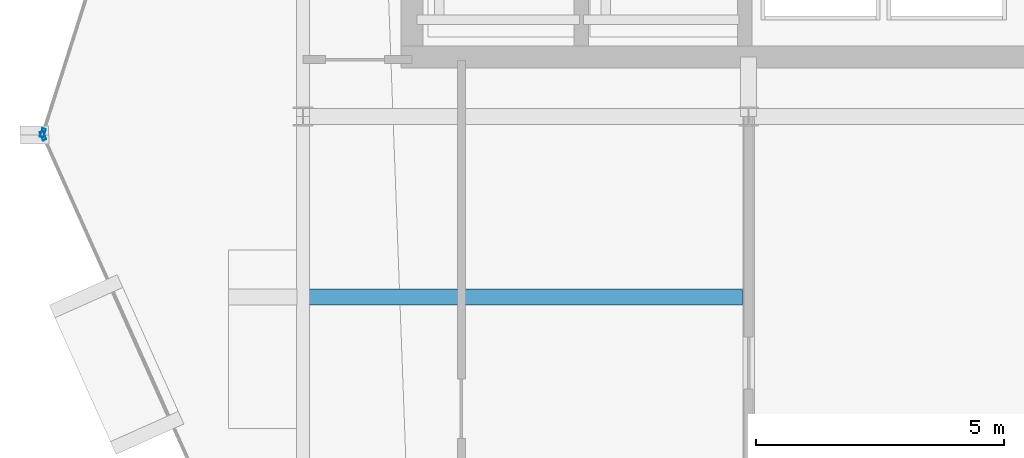
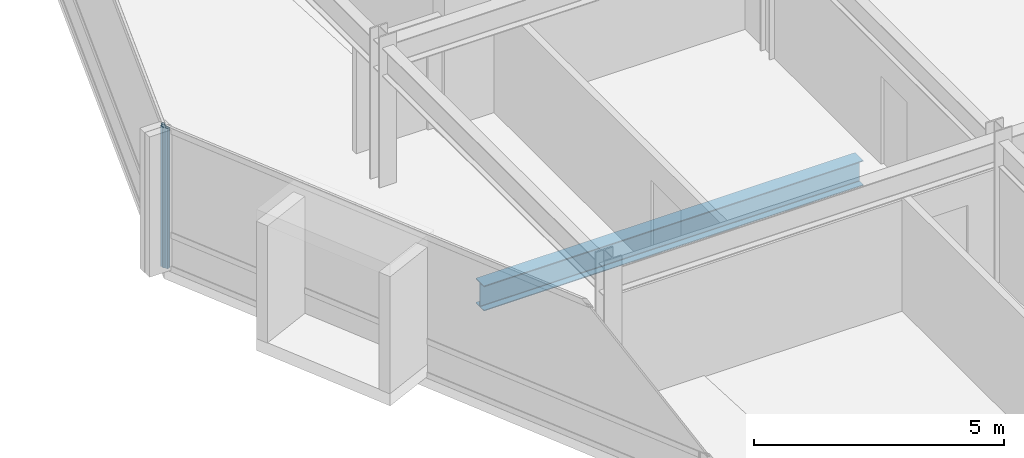
# One storey, part 6 of 19: 2 members, 1 beam, 2 elements without a shape of their own.
"""IFC4 building model written with IfcOpenShell, lengths in metres."""

import ifcopenshell
import ifcopenshell.guid

model = None  # the IFC model being written
_history = None  # IfcOwnerHistory: only IFC2X3 demands one
_inside = {}  # id of a spatial element -> (the spatial element, [elements in it])
_under = {}  # id of a project, library or spatial element -> (it, [spatial elements below it])
_declared = {}  # id of a project -> (the project, [libraries it declares])
_typed = {}  # id of a type object -> (the type object, [elements of that type])
_made_of = {}  # id of a material, layer set ... -> (it, [elements and type objects made of it])


def new_model(schema):
    """Start an empty IFC model of exactly this schema.

    Asked for "IFC4X3", IfcOpenShell would pick the latest addendum, in which some entities
    have other attributes; the version numbers below select the first issue.
    IFC2X3 requires an IfcOwnerHistory on every rooted entity: one is made here for all.
    """
    global model, _history
    if schema == "IFC4X3":
        model = ifcopenshell.file(schema_version=(4, 3, 0, 0))
    else:
        model = ifcopenshell.file(schema=schema)
    _inside.clear()
    _under.clear()
    _declared.clear()
    _typed.clear()
    _made_of.clear()
    _history = None
    if model.schema == "IFC2X3":
        org = make("IfcOrganization", Name="unknown")
        user = make(
            "IfcPersonAndOrganization",
            ThePerson=make("IfcPerson", FamilyName="unknown"),
            TheOrganization=org,
        )
        app = make(
            "IfcApplication",
            ApplicationDeveloper=org,
            Version="unknown",
            ApplicationFullName="unknown",
            ApplicationIdentifier="unknown",
        )
        _history = make(
            "IfcOwnerHistory",
            OwningUser=user,
            OwningApplication=app,
            ChangeAction="ADDED",
            CreationDate=0,
        )
    return model


def make(cls, **values):
    """One entity of the class cls with the attributes given. An attribute that is None is left unset."""
    return model.create_entity(
        cls, **{name: value for name, value in values.items() if value is not None}
    )


def rooted(cls, **values):
    """An entity with a GlobalId (a new one), such as an element, a storey or a relation."""
    return make(cls, GlobalId=ifcopenshell.guid.new(), OwnerHistory=_history, **values)


def si_unit(unit_type, name, prefix=None):
    """IfcSIUnit, for example si_unit("LENGTHUNIT", "METRE", prefix="MILLI")."""
    return make("IfcSIUnit", UnitType=unit_type, Prefix=prefix, Name=name)


def assignment(units):
    """IfcUnitAssignment: the units of a project."""
    return None if units is None else make("IfcUnitAssignment", Units=units)


def point(xyz):
    """IfcCartesianPoint."""
    return None if xyz is None else make("IfcCartesianPoint", Coordinates=xyz)


def direction(xyz):
    """IfcDirection."""
    return None if xyz is None else make("IfcDirection", DirectionRatios=xyz)


def frame(location, z_axis=None, x_axis=None):
    """IfcAxis2Placement3D, a coordinate frame: its origin and axes. An axis left out is left unset."""
    return make(
        "IfcAxis2Placement3D",
        Location=point(location),
        Axis=direction(z_axis),
        RefDirection=direction(x_axis),
    )


def frame_2d(location, x_axis=None):
    """IfcAxis2Placement2D, a coordinate frame in the plane: its origin and x axis."""
    return make(
        "IfcAxis2Placement2D", Location=point(location), RefDirection=direction(x_axis)
    )


def origin():
    """The frame at (0, 0, 0) with its axes left unset."""
    return frame((0.0, 0.0, 0.0))


def origin_2d():
    """The frame at (0, 0) in the plane with its x axis left unset."""
    return frame_2d((0.0, 0.0))


def place(relative_to, where):
    """IfcLocalPlacement: puts the frame where relative to a parent placement (None: the world)."""
    return make(
        "IfcLocalPlacement", PlacementRelTo=relative_to, RelativePlacement=where
    )


def context(
    kind, dimensions, precision=None, world=None, true_north=None, identifier=None
):
    """IfcGeometricRepresentationContext, for example the 3D "Model" context."""
    return make(
        "IfcGeometricRepresentationContext",
        ContextIdentifier=identifier,
        ContextType=kind,
        CoordinateSpaceDimension=dimensions,
        Precision=precision,
        WorldCoordinateSystem=world,
        TrueNorth=true_north,
    )


def subcontext(parent, identifier, kind, view, scale=None):
    """IfcGeometricRepresentationSubContext, for example "Body" below "Model"."""
    return make(
        "IfcGeometricRepresentationSubContext",
        ContextIdentifier=identifier,
        ContextType=kind,
        ParentContext=parent,
        TargetScale=scale,
        TargetView=view,
    )


def project(units=None, contexts=None):
    """IfcProject with its units and contexts."""
    return rooted(
        "IfcProject",
        Name="project",
        RepresentationContexts=contexts,
        UnitsInContext=assignment(units),
    )


def spatial(cls, under=None, at=None, **own):
    """A site, building, storey or space (cls), placed at a placement, below another one or the project."""
    s = rooted(cls, ObjectPlacement=at, **own)
    if under is not None:
        _under.setdefault(under.id(), (under, []))[1].append(s)
    return s


def profile(cls, at=None, kind="AREA", **sizes):
    """A parametric profile (cls). Its sizes go by their IFC names, for example OverallWidth=200.0."""
    return make(cls, ProfileType=kind, Position=at, **sizes)


def hollow_rectangle(**sizes):
    """IfcRectangleHollowProfileDef."""
    return profile("IfcRectangleHollowProfileDef", **sizes)


def i_section(**sizes):
    """IfcIShapeProfileDef."""
    return profile("IfcIShapeProfileDef", **sizes)


def extrude(swept, where, along, depth):
    """IfcExtrudedAreaSolid: the profile swept, set in the frame where, extruded along a direction by depth."""
    return make(
        "IfcExtrudedAreaSolid",
        SweptArea=swept,
        Position=where,
        ExtrudedDirection=direction(along),
        Depth=depth,
    )


def shape(context_of_items, identifier, shape_type, items):
    """IfcShapeRepresentation: the items that make up one representation, for example the "Body"."""
    return make(
        "IfcShapeRepresentation",
        ContextOfItems=context_of_items,
        RepresentationIdentifier=identifier,
        RepresentationType=shape_type,
        Items=items,
    )


def material(Name=None, Category=None):
    """IfcMaterial."""
    return make("IfcMaterial", Name=Name, Category=Category)


def layer(
    of_material, thickness, ventilated=None, Name=None, Category=None, Priority=None
):
    """IfcMaterialLayer: one layer of a wall or slab, of a material (None: an air gap)."""
    return make(
        "IfcMaterialLayer",
        Material=of_material,
        LayerThickness=thickness,
        IsVentilated=ventilated,
        Name=Name,
        Category=Category,
        Priority=Priority,
    )


def layer_set(layers, Name=None):
    """IfcMaterialLayerSet."""
    return make("IfcMaterialLayerSet", MaterialLayers=layers, LayerSetName=Name)


def material_profile(
    of_material, cross_section, Name=None, Category=None, Priority=None
):
    """IfcMaterialProfile: a cross section and its material."""
    return make(
        "IfcMaterialProfile",
        Name=Name,
        Material=of_material,
        Profile=cross_section,
        Priority=Priority,
        Category=Category,
    )


def profile_set(profiles, Name=None, composite=None):
    """IfcMaterialProfileSet."""
    return make(
        "IfcMaterialProfileSet",
        Name=Name,
        MaterialProfiles=profiles,
        CompositeProfile=composite,
    )


def made_of(thing, what):
    """Note that an element or type object is made of a material, layer set ...; save() writes the relation."""
    if what is not None:
        _made_of.setdefault(what.id(), (what, []))[1].append(thing)
    return thing


def type_object(cls, material=None, **own):
    """A type object (cls), such as IfcWallType, which elements share."""
    return made_of(rooted(cls, **own), material)


def element(
    cls,
    number,
    at=None,
    inside=None,
    cuts=None,
    type_object=None,
    material=None,
    context=None,
    identifier="Body",
    shape_type=None,
    held_by="IfcProductDefinitionShape",
    body=None,
    shapes=None,
    **own,
):
    """One element of the class cls, such as IfcWall. Its Tag is "e" and its number.

    at: its placement. inside: the storey or other place that contains it. cuts: it is an
    opening in that element (IfcRelVoidsElement). A single representation is given by context,
    identifier, shape_type and body (its items); several are given by shapes. held_by: the class
    of the entity that holds the representations. save() writes the other relations.
    """
    e = rooted(cls, Tag="e%d" % number, ObjectPlacement=at, **own)
    if body is not None:
        shapes = [shape(context, identifier, shape_type, body)]
    if shapes is not None:
        e.Representation = make(held_by, Representations=shapes)
    if inside is not None:
        _inside.setdefault(inside.id(), (inside, []))[1].append(e)
    if cuts is not None:
        rooted(
            "IfcRelVoidsElement", RelatingBuildingElement=cuts, RelatedOpeningElement=e
        )
    if type_object is not None:
        _typed.setdefault(type_object.id(), (type_object, []))[1].append(e)
    return made_of(e, material)


def aggregate(whole, parts):
    """IfcRelAggregates: a whole, such as a stair, and the parts it consists of."""
    return rooted("IfcRelAggregates", RelatingObject=whole, RelatedObjects=parts)


def save(model, path):
    """Write the relations noted so far, then the file.

    IfcRelAggregates (storeys below a building ...), IfcRelContainedInSpatialStructure (elements
    in a storey), IfcRelDefinesByType, IfcRelAssociatesMaterial and IfcRelDeclares: one each for
    every whole, place, type object, material and project.
    """
    for whole, parts in _under.values():
        aggregate(whole, parts)
    for where, things in _inside.values():
        rooted(
            "IfcRelContainedInSpatialStructure",
            RelatedElements=things,
            RelatingStructure=where,
        )
    for kind, things in _typed.values():
        rooted("IfcRelDefinesByType", RelatedObjects=things, RelatingType=kind)
    for what, things in _made_of.values():
        rooted("IfcRelAssociatesMaterial", RelatedObjects=things, RelatingMaterial=what)
    for by, libraries in _declared.values():
        rooted("IfcRelDeclares", RelatingContext=by, RelatedDefinitions=libraries)
    model.write(path)


model = new_model("IFC4")

# Units and contexts
model_context = context("Model", 3, precision=1e-05, world=origin(), true_north=direction((0.0, 1.0)))
body_context = subcontext(model_context, "Body", "Model", "MODEL_VIEW")
ifc_project = project(units=[si_unit("LENGTHUNIT", "METRE"), si_unit("AREAUNIT", "SQUARE_METRE"), si_unit("VOLUMEUNIT", "CUBIC_METRE"), si_unit("PLANEANGLEUNIT", "RADIAN"), si_unit("MASSUNIT", "GRAM", prefix="KILO")], contexts=[model_context])

# Site, building, storey
site_placement = place(None, origin())
site = spatial("IfcSite", under=ifc_project, at=site_placement, CompositionType="ELEMENT")
building_placement = place(site_placement, origin())
building = spatial("IfcBuilding", under=site, at=building_placement, Name="Solvaryn Broadcast Tower", CompositionType="ELEMENT")
storey_placement = place(building_placement, frame((0.0, 0.0, 259.300048828125)))
storey = spatial("IfcBuildingStorey", under=building, at=storey_placement, Name="L65", CompositionType="ELEMENT", Elevation=259.300048828125)

# Beam
ifc_material_1 = material(Name="Steel ASTM A992 Grade 50", Category="steel")
ifc_material_profile_1 = material_profile(ifc_material_1, i_section(OverallWidth=0.323974609375, OverallDepth=0.611083984375, WebThickness=0.0126953125, FlangeThickness=0.01904296875, FilletRadius=0.014892578125, at=origin_2d()))
ifc_profile_set_1 = profile_set([ifc_material_profile_1], Name="Steel ASTM A992 Grade 50")
beam_type = type_object("IfcBeamType", Name="BM-B1-W24X104", PredefinedType="BEAM", material=ifc_profile_set_1)
beam_placement = place(storey_placement, frame((17.875, 23.35009765625, -0.58544921875), z_axis=(-1.0, 0.0, 0.0), x_axis=(0.0, -1.0, 0.0)))
element("IfcBeam", 1, at=beam_placement, inside=storey, type_object=beam_type, Name="L65 Bay-Box Back-Span Beam 1", PredefinedType="BEAM", context=body_context, shape_type="SweptSolid", body=[
    extrude(i_section(OverallWidth=0.323974609375, OverallDepth=0.611083984375, WebThickness=0.0126953125, FlangeThickness=0.01904296875, FilletRadius=0.014892578125, at=origin_2d()), origin(), (0.0, 0.0, 1.0), 8.75),
])

# Curtain wall, member
ifc_material_2 = material(Name="Aluminium and Terracotta Unitised Curtain Wall", Category="masonry")
ifc_layer = layer(ifc_material_2, 0.199951171875)
ifc_layer_set = layer_set([ifc_layer], Name="CW-SYS2-LOWMID")
curtain_wall_type = type_object("IfcCurtainWallType", Name="CW-SYS2-LOWMID", PredefinedType="NOTDEFINED", material=ifc_layer_set)
curtain_wall_1_placement = place(storey_placement, origin())
curtain_wall_1 = element("IfcCurtainWall", 2, at=curtain_wall_1_placement, inside=storey, type_object=curtain_wall_type, Name="L65 Curtain Wall DR1", PredefinedType="NOTDEFINED")
ifc_material_3 = material(Name="Anodised Aluminium 6063-T6", Category="aluminium")
ifc_material_profile_2 = material_profile(ifc_material_3, hollow_rectangle(XDim=0.074951171875, YDim=0.179931640625, WallThickness=0.00390625, InnerFilletRadius=0.00390625, OuterFilletRadius=0.008056640625, at=origin_2d()))
ifc_profile_set_2 = profile_set([ifc_material_profile_2], Name="Anodised Aluminium 6063-T6")
member_type = type_object("IfcMemberType", Name="CW-MUL-180", PredefinedType="MULLION", material=ifc_profile_set_2)
member_1_placement = place(storey_placement, frame((3.7470703125, 26.66455078125, 0.0), z_axis=(0.0, 0.0, 1.0), x_axis=(0.952794594701, -0.30361564569, 0.0)))
member_1 = element("IfcMember", 3, at=member_1_placement, type_object=member_type, Name="CWS2 mullion 2", PredefinedType="MULLION", context=body_context, shape_type="SweptSolid", body=[
    extrude(hollow_rectangle(XDim=0.074951171875, YDim=0.179931640625, WallThickness=0.00390625, InnerFilletRadius=0.00390625, OuterFilletRadius=0.008056640625, at=origin_2d()), origin(), (0.0, 0.0, 1.0), 3.419921875),
])
aggregate(curtain_wall_1, [member_1])

curtain_wall_2_placement = place(storey_placement, origin())
curtain_wall_2 = element("IfcCurtainWall", 4, at=curtain_wall_2_placement, inside=storey, type_object=curtain_wall_type, Name="L65 Curtain Wall DR2", PredefinedType="NOTDEFINED")
member_2_placement = place(storey_placement, frame((3.750244140625, 26.608642578125, 0.0), z_axis=(0.0, 0.0, 1.0), x_axis=(0.912773530574, 0.408466010682, 0.0)))
member_2 = element("IfcMember", 5, at=member_2_placement, type_object=member_type, Name="CWS2 mullion 1", PredefinedType="MULLION", context=body_context, shape_type="SweptSolid", body=[
    extrude(hollow_rectangle(XDim=0.074951171875, YDim=0.179931640625, WallThickness=0.00390625, InnerFilletRadius=0.00390625, OuterFilletRadius=0.008056640625, at=origin_2d()), origin(), (0.0, 0.0, 1.0), 3.419921875),
])
aggregate(curtain_wall_2, [member_2])

save(model, "model.ifc")
